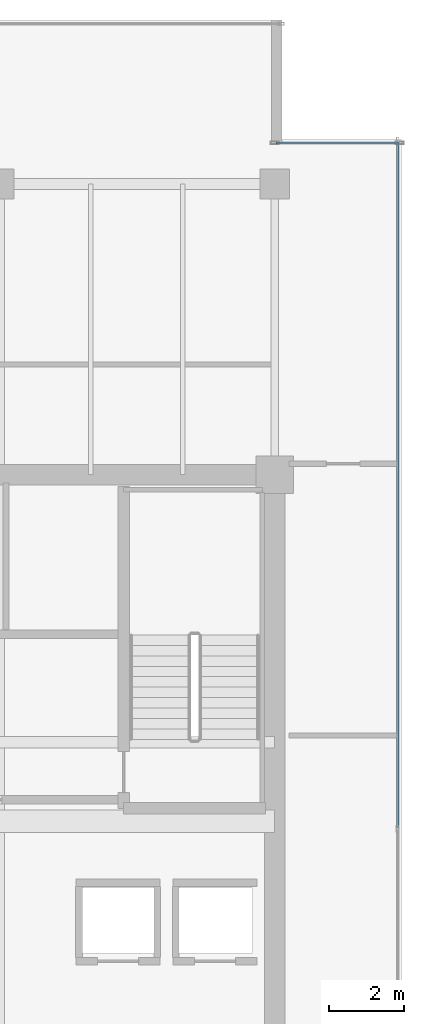
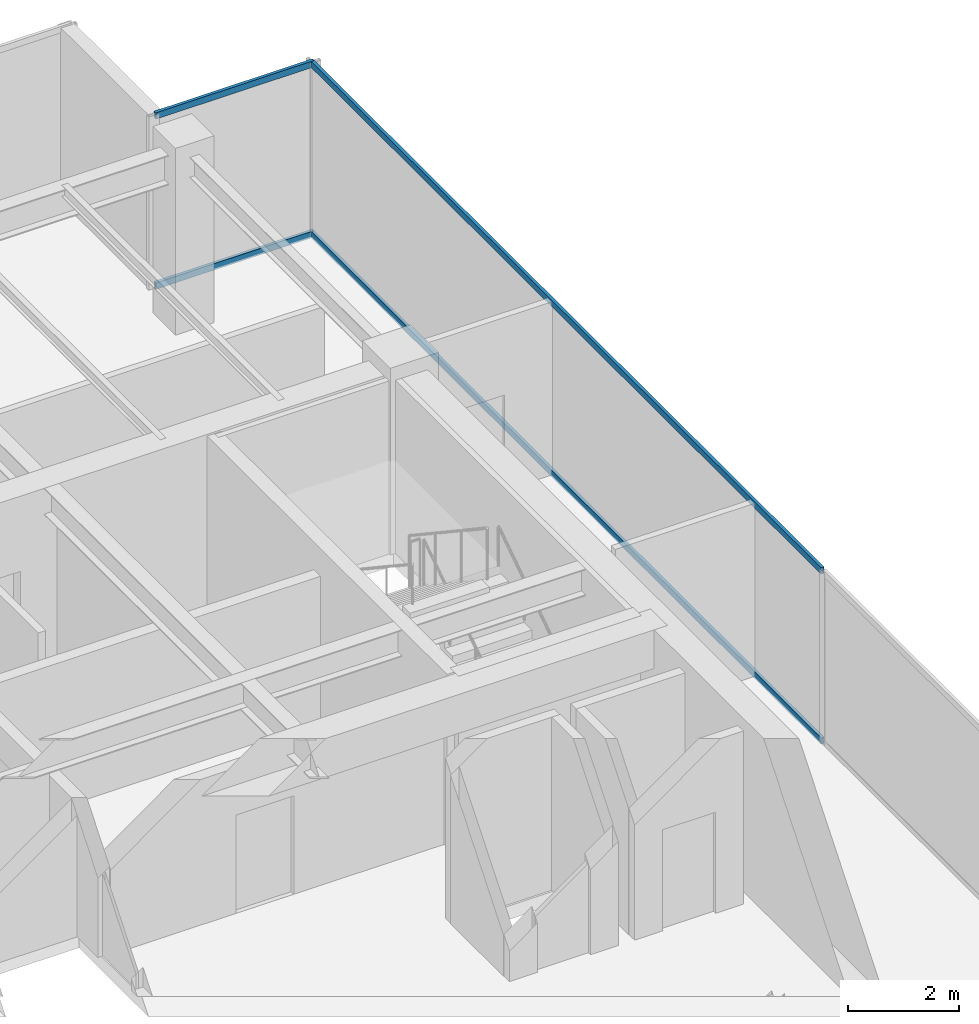
# One storey, part 25 of 33: 4 members, 2 elements without a shape of their own.
"""IFC4 building model written with IfcOpenShell, lengths in metres."""

from ifc_helpers import new_model, si_unit, direction, frame, origin, origin_2d, place, context, subcontext, project, spatial, hollow_rectangle, extrude, source, transform, mapped, material, layer, layer_set, material_profile, profile_set, type_object, type_shapes, element, aggregate, save


model = new_model("IFC4")

# Units and contexts
model_context = context("Model", 3, precision=1e-05, world=origin(), true_north=direction((0.0, 1.0)))
body_context = subcontext(model_context, "Body", "Model", "MODEL_VIEW")
ifc_project = project(units=[si_unit("LENGTHUNIT", "METRE"), si_unit("AREAUNIT", "SQUARE_METRE"), si_unit("VOLUMEUNIT", "CUBIC_METRE"), si_unit("PLANEANGLEUNIT", "RADIAN"), si_unit("MASSUNIT", "GRAM", prefix="KILO")], contexts=[model_context])

# Site, building, storey
site_placement = place(None, origin())
site = spatial("IfcSite", under=ifc_project, at=site_placement, CompositionType="ELEMENT")
building_placement = place(site_placement, origin())
building = spatial("IfcBuilding", under=site, at=building_placement, Name="Haelvirn Gate Laboratories", CompositionType="ELEMENT")
storey_placement = place(building_placement, frame((0.0, 0.0, 279.300048828125)))
storey = spatial("IfcBuildingStorey", under=building, at=storey_placement, Name="L67", CompositionType="ELEMENT", Elevation=279.300048828125)

# Curtain wall, members
ifc_material_1 = material(Name="Anodised bronze unitised aluminium & triple low-E glass", Category="aluminium")
ifc_layer_1 = layer(ifc_material_1, 0.181884765625, Name="CW-SYS-5")
ifc_layer_set_1 = layer_set([ifc_layer_1], Name="Anodised bronze unitised aluminium & triple low-E glass")
curtain_wall_type_1 = type_object("IfcCurtainWallType", Name="CW-SYS-5", PredefinedType="NOTDEFINED", material=ifc_layer_set_1)
curtain_wall_1_placement = place(storey_placement, origin())
curtain_wall_1 = element("IfcCurtainWall", 1, at=curtain_wall_1_placement, inside=storey, type_object=curtain_wall_type_1, Name="L67 Unitised Curtain Wall CW-L67-P0-E08-1", PredefinedType="NOTDEFINED")
ifc_material_2 = material(Name="Extruded aluminium 6063-T6 (anodised bronze)", Category="aluminium")
ifc_material_profile = material_profile(ifc_material_2, hollow_rectangle(XDim=0.06494140625, YDim=0.139892578125, WallThickness=0.00390625, at=origin_2d()), Name="CWT-140x65x4")
ifc_profile_set = profile_set([ifc_material_profile], Name="Extruded aluminium 6063-T6 (anodised bronze)")
member_type = type_object("IfcMemberType", Name="CWT-T140", PredefinedType="USERDEFINED", material=ifc_profile_set)
shared_shape_1 = source(origin(), body_context, "Body", "SweptSolid", [
    extrude(hollow_rectangle(XDim=0.06494140625, YDim=0.139892578125, WallThickness=0.00390625, at=origin_2d()), origin(), (0.0, 0.0, 1.0), 3.280029296875),
])
member_1_placement = place(storey_placement, frame((67.43994140625, 42.699951171875, 0.032470703125), z_axis=(1.0, 0.0, 0.0), x_axis=(0.0, 1.0, 0.0)))
member_1 = element("IfcMember", 2, at=member_1_placement, type_object=member_type, Name="CW5 transom 1.1", ObjectType="TRANSOM", PredefinedType="USERDEFINED", context=body_context, shape_type="MappedRepresentation", body=[
    mapped(shared_shape_1, transform((0.0, 0.0, 0.0), scale=1.0)),
])
member_2_placement = place(storey_placement, frame((67.43994140625, 42.699951171875, 3.767333984375), z_axis=(1.0, 0.0, 0.0), x_axis=(0.0, 1.0, 0.0)))
member_2 = element("IfcMember", 3, at=member_2_placement, type_object=member_type, Name="CW5 transom 1.2", ObjectType="TRANSOM", PredefinedType="USERDEFINED", context=body_context, shape_type="MappedRepresentation", body=[
    mapped(shared_shape_1, transform((0.0, 0.0, 0.0), scale=1.0)),
])
aggregate(curtain_wall_1, [member_1, member_2])

ifc_layer_2 = layer(ifc_material_1, 0.176025390625, Name="CW-SYS-4")
ifc_layer_set_2 = layer_set([ifc_layer_2], Name="Anodised bronze unitised aluminium & triple low-E glass")
curtain_wall_type_2 = type_object("IfcCurtainWallType", Name="CW-SYS-4", PredefinedType="NOTDEFINED", material=ifc_layer_set_2)
curtain_wall_2_placement = place(storey_placement, origin())
curtain_wall_2 = element("IfcCurtainWall", 4, at=curtain_wall_2_placement, inside=storey, type_object=curtain_wall_type_2, Name="L67 Unitised Curtain Wall CW-L67-P0-E07", PredefinedType="NOTDEFINED")
shared_shape_2 = source(origin(), body_context, "Body", "SweptSolid", [
    extrude(hollow_rectangle(XDim=0.06494140625, YDim=0.139892578125, WallThickness=0.00390625, at=origin_2d()), origin(), (0.0, 0.0, 1.0), 18.39501953125),
])
type_shapes(member_type, [shared_shape_1, shared_shape_2])
member_3_placement = place(storey_placement, frame((70.699951171875, 24.3349609375, 0.032470703125), z_axis=(0.0, 1.0, 0.0), x_axis=(-1.0, 0.0, 0.0)))
member_3 = element("IfcMember", 5, at=member_3_placement, type_object=member_type, Name="CW4 transom 2.1", ObjectType="TRANSOM", PredefinedType="USERDEFINED", context=body_context, shape_type="MappedRepresentation", body=[
    mapped(shared_shape_2, transform((0.0, 0.0, 0.0), scale=1.0)),
])
member_4_placement = place(storey_placement, frame((70.699951171875, 24.3349609375, 3.767333984375), z_axis=(0.0, 1.0, 0.0), x_axis=(-1.0, 0.0, 0.0)))
member_4 = element("IfcMember", 6, at=member_4_placement, type_object=member_type, Name="CW4 transom 2.2", ObjectType="TRANSOM", PredefinedType="USERDEFINED", context=body_context, shape_type="MappedRepresentation", body=[
    mapped(shared_shape_2, transform((0.0, 0.0, 0.0), scale=1.0)),
])
aggregate(curtain_wall_2, [member_3, member_4])

save(model, "model.ifc")
